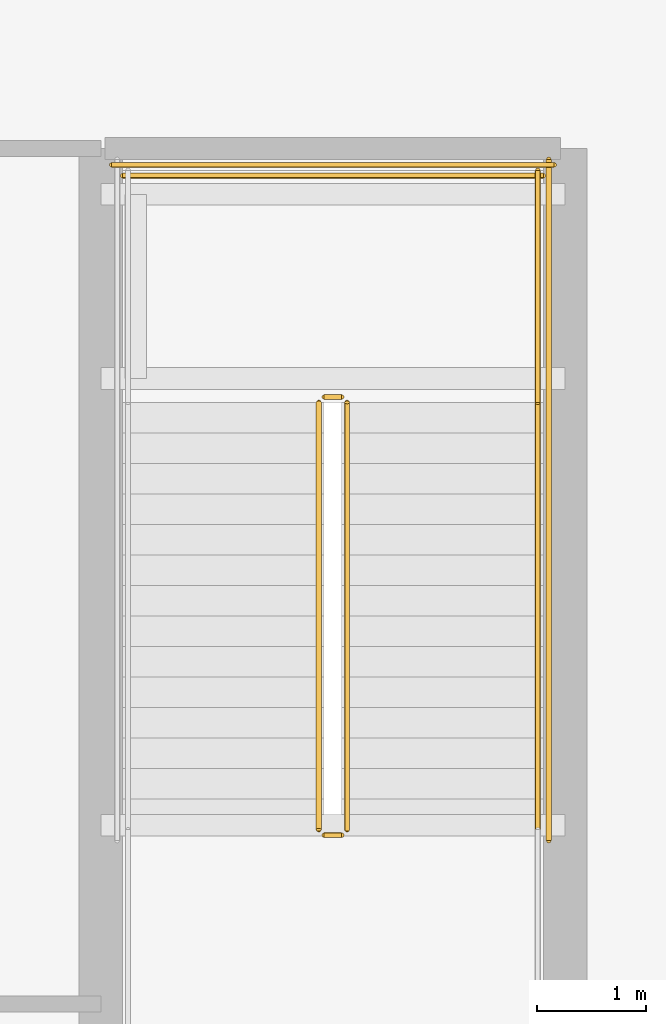
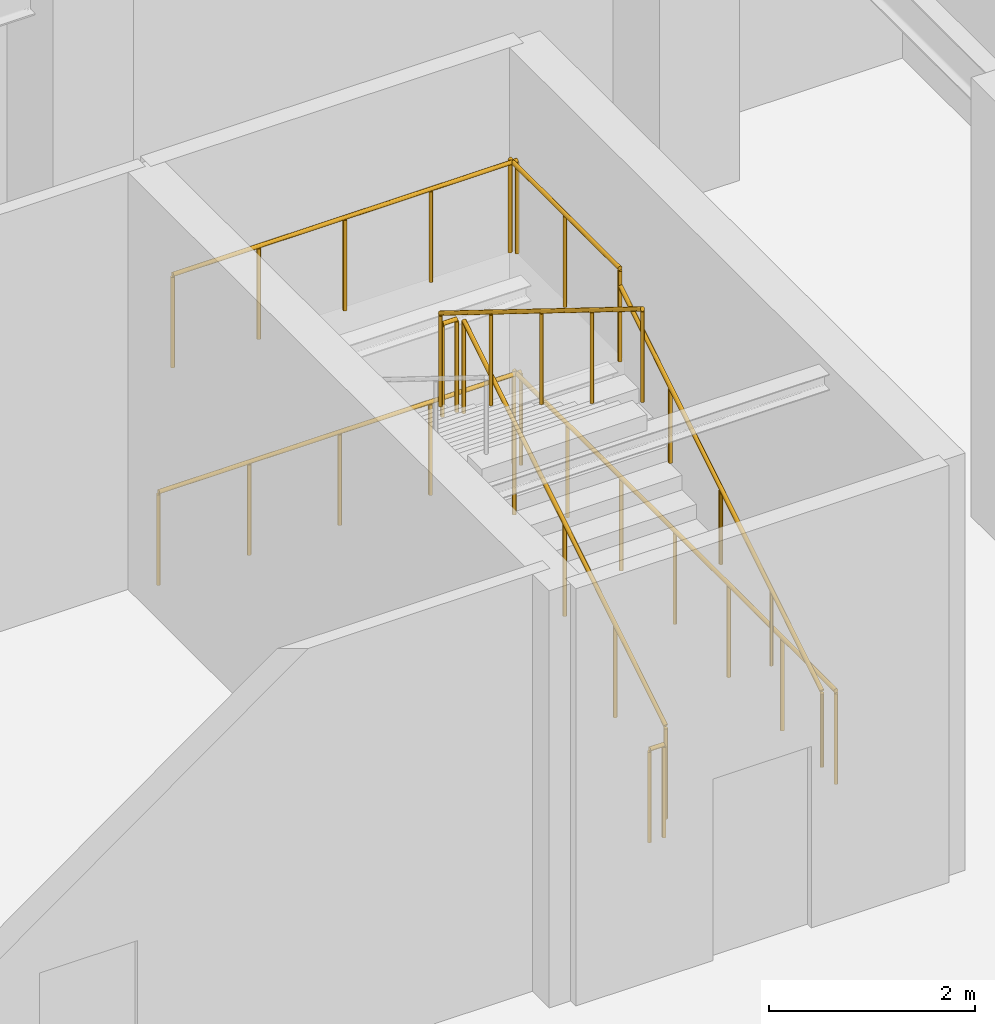
# One storey, part 15 of 15: 9 railings.
"""IFC4 building model written with IfcOpenShell, lengths in metres."""

from ifc_helpers import new_model, si_unit, direction, frame, origin, origin_2d, place, context, subcontext, project, spatial, circle, extrude, material, layer, layer_set, type_object, element, save


model = new_model("IFC4")

# Units and contexts
model_context = context("Model", 3, precision=1e-05, world=origin(), true_north=direction((0.0, 1.0)))
body_context = subcontext(model_context, "Body", "Model", "MODEL_VIEW")
ifc_project = project(units=[si_unit("LENGTHUNIT", "METRE"), si_unit("AREAUNIT", "SQUARE_METRE"), si_unit("VOLUMEUNIT", "CUBIC_METRE"), si_unit("PLANEANGLEUNIT", "RADIAN"), si_unit("MASSUNIT", "GRAM", prefix="KILO")], contexts=[model_context])

# Site, building, storey
site_placement = place(None, origin())
site = spatial("IfcSite", under=ifc_project, at=site_placement, CompositionType="ELEMENT")
building_placement = place(site_placement, origin())
building = spatial("IfcBuilding", under=site, at=building_placement, Name="Yelkora Congress Tower", CompositionType="ELEMENT")
storey_placement = place(building_placement, frame((0.0, 0.0, 10.39990234375)))
storey = spatial("IfcBuildingStorey", under=building, at=storey_placement, Name="L02", CompositionType="ELEMENT", Elevation=10.39990234375)

# Railings
ifc_material_1 = material(Name="Painted galvanised steel stair well guard with vertical infill", Category="steel")
ifc_layer_1 = layer(ifc_material_1, 0.06005859375)
ifc_layer_set_1 = layer_set([ifc_layer_1], Name="Painted galvanised steel stair well guard with vertical infill")
railing_type_1 = type_object("IfcRailingType", Name="RAIL-STAIR-GUARD-1120", PredefinedType="GUARDRAIL", material=ifc_layer_set_1)
railing_1_placement = place(storey_placement, frame((66.659912109375, 39.89990234375, 0.17333984375)))
element("IfcRailing", 1, at=railing_1_placement, inside=storey, type_object=railing_type_1, Name="ST-P2 L02 Stair Well Guardrail 1", PredefinedType="GUARDRAIL", context=body_context, shape_type="SweptSolid", body=[
    extrude(circle(Radius=0.02392578125, at=origin_2d()), frame((0.0, 0.0, 1.09619140625), z_axis=(0.0, 0.850266275192, 0.526352791643), x_axis=(-1.0, 0.0, 0.0)), (0.0, 0.0, 1.0), 4.610595703125),
    extrude(circle(Radius=0.02099609375, at=origin_2d()), origin(), (0.0, 0.0, 1.0), 1.072021484375),
    extrude(circle(Radius=0.02099609375, at=origin_2d()), frame((0.0, 0.97998046875, 0.606689453125)), (0.0, 0.0, 1.0), 1.072021484375),
    extrude(circle(Radius=0.02099609375, at=origin_2d()), frame((0.0, 1.9599609375, 1.21337890625)), (0.0, 0.0, 1.0), 1.072021484375),
    extrude(circle(Radius=0.02099609375, at=origin_2d()), frame((0.0, 2.940185546875, 1.820068359375)), (0.0, 0.0, 1.0), 1.072021484375),
    extrude(circle(Radius=0.02099609375, at=origin_2d()), frame((0.0, 3.920166015625, 2.4267578125)), (0.0, 0.0, 1.0), 1.072021484375),
])
railing_2_placement = place(storey_placement, frame((66.610107421875, 43.8701171875, 2.60009765625)))
element("IfcRailing", 2, at=railing_2_placement, inside=storey, type_object=railing_type_1, Name="ST-P2 L02 Stair Well Guardrail 2", PredefinedType="GUARDRAIL", context=body_context, shape_type="SweptSolid", body=[
    extrude(circle(Radius=0.02392578125, at=origin_2d()), frame((0.0, 0.0, 1.09619140625), z_axis=(-1.0, 0.0, 0.0), x_axis=(0.0, -1.0, 0.0)), (0.0, 0.0, 1.0), 0.16015625),
    extrude(circle(Radius=0.02099609375, at=origin_2d()), origin(), (0.0, 0.0, 1.0), 1.072021484375),
    extrude(circle(Radius=0.02099609375, at=origin_2d()), frame((-0.16015625, 0.0, 0.0)), (0.0, 0.0, 1.0), 1.072021484375),
])
railing_3_placement = place(storey_placement, frame((68.409912109375, 43.820068359375, 2.60009765625)))
element("IfcRailing", 3, at=railing_3_placement, inside=storey, type_object=railing_type_1, Name="ST-P2 L02 Stair Well Guardrail 3", PredefinedType="GUARDRAIL", context=body_context, shape_type="SweptSolid", body=[
    extrude(circle(Radius=0.02392578125, at=origin_2d()), frame((0.0, 0.0, 1.09619140625), z_axis=(0.0, 1.0, 0.0), x_axis=(-1.0, 0.0, 0.0)), (0.0, 0.0, 1.0), 2.1298828125),
    extrude(circle(Radius=0.02099609375, at=origin_2d()), origin(), (0.0, 0.0, 1.0), 1.072021484375),
    extrude(circle(Radius=0.02099609375, at=origin_2d()), frame((0.0, 1.06494140625, 0.0)), (0.0, 0.0, 1.0), 1.072021484375),
    extrude(circle(Radius=0.02099609375, at=origin_2d()), frame((0.0, 2.1298828125, 0.0)), (0.0, 0.0, 1.0), 1.072021484375),
])
railing_4_placement = place(storey_placement, frame((68.4599609375, 45.89990234375, 2.60009765625)))
element("IfcRailing", 4, at=railing_4_placement, inside=storey, type_object=railing_type_1, Name="ST-P2 L02 Stair Well Guardrail 5", PredefinedType="GUARDRAIL", context=body_context, shape_type="SweptSolid", body=[
    extrude(circle(Radius=0.02392578125, at=origin_2d()), frame((0.0, 0.0, 1.09619140625), z_axis=(-1.0, 0.0, 0.0), x_axis=(0.0, -1.0, 0.0)), (0.0, 0.0, 1.0), 3.85986328125),
    extrude(circle(Radius=0.02099609375, at=origin_2d()), origin(), (0.0, 0.0, 1.0), 1.072021484375),
    extrude(circle(Radius=0.02099609375, at=origin_2d()), frame((-0.96484375, 0.0, 0.0)), (0.0, 0.0, 1.0), 1.072021484375),
    extrude(circle(Radius=0.02099609375, at=origin_2d()), frame((-1.929931640625, 0.0, 0.0)), (0.0, 0.0, 1.0), 1.072021484375),
    extrude(circle(Radius=0.02099609375, at=origin_2d()), frame((-2.89501953125, 0.0, 0.0)), (0.0, 0.0, 1.0), 1.072021484375),
    extrude(circle(Radius=0.02099609375, at=origin_2d()), frame((-3.85986328125, 0.0, 0.0)), (0.0, 0.0, 1.0), 1.072021484375),
])
railing_5_placement = place(storey_placement, frame((66.39990234375, 43.820068359375, 2.7734375)))
element("IfcRailing", 5, at=railing_5_placement, inside=storey, type_object=railing_type_1, Name="ST-P2 L02 Stair Well Guardrail 6", PredefinedType="GUARDRAIL", context=body_context, shape_type="SweptSolid", body=[
    extrude(circle(Radius=0.02392578125, at=origin_2d()), frame((0.0, 0.0, 1.09619140625), z_axis=(0.0, -0.850266275192, 0.526352791643), x_axis=(1.0, 0.0, 0.0)), (0.0, 0.0, 1.0), 4.610595703125),
    extrude(circle(Radius=0.02099609375, at=origin_2d()), origin(), (0.0, 0.0, 1.0), 1.072021484375),
    extrude(circle(Radius=0.02099609375, at=origin_2d()), frame((0.0, -0.97998046875, 0.606689453125)), (0.0, 0.0, 1.0), 1.072021484375),
    extrude(circle(Radius=0.02099609375, at=origin_2d()), frame((0.0, -1.9599609375, 1.21337890625)), (0.0, 0.0, 1.0), 1.072021484375),
    extrude(circle(Radius=0.02099609375, at=origin_2d()), frame((0.0, -2.940185546875, 1.820068359375)), (0.0, 0.0, 1.0), 1.072021484375),
    extrude(circle(Radius=0.02099609375, at=origin_2d()), frame((0.0, -3.920166015625, 2.4267578125)), (0.0, 0.0, 1.0), 1.072021484375),
])
railing_6_placement = place(storey_placement, frame((66.610107421875, 39.85009765625, 0.0)))
element("IfcRailing", 6, at=railing_6_placement, inside=storey, type_object=railing_type_1, Name="ST-P2 L02 Stair Well Guardrail 7", PredefinedType="GUARDRAIL", context=body_context, shape_type="SweptSolid", body=[
    extrude(circle(Radius=0.02392578125, at=origin_2d()), frame((0.0, 0.0, 1.09619140625), z_axis=(-1.0, 0.0, 0.0), x_axis=(0.0, -1.0, 0.0)), (0.0, 0.0, 1.0), 0.16015625),
    extrude(circle(Radius=0.02099609375, at=origin_2d()), origin(), (0.0, 0.0, 1.0), 1.072021484375),
    extrude(circle(Radius=0.02099609375, at=origin_2d()), frame((-0.16015625, 0.0, 0.0)), (0.0, 0.0, 1.0), 1.072021484375),
])
railing_7_placement = place(storey_placement, frame((68.510009765625, 39.800048828125, 0.0)))
element("IfcRailing", 7, at=railing_7_placement, inside=storey, type_object=railing_type_1, Name="ST-P2 L02 Stair Well Guardrail 10", PredefinedType="GUARDRAIL", context=body_context, shape_type="SweptSolid", body=[
    extrude(circle(Radius=0.02392578125, at=origin_2d()), frame((0.0, 0.0, 1.09619140625), z_axis=(0.0, 1.0, 0.0), x_axis=(-1.0, 0.0, 0.0)), (0.0, 0.0, 1.0), 6.25),
    extrude(circle(Radius=0.02099609375, at=origin_2d()), origin(), (0.0, 0.0, 1.0), 1.072021484375),
    extrude(circle(Radius=0.02099609375, at=origin_2d()), frame((0.0, 1.041748046875, 0.0)), (0.0, 0.0, 1.0), 1.072021484375),
    extrude(circle(Radius=0.02099609375, at=origin_2d()), frame((0.0, 2.083251953125, 0.0)), (0.0, 0.0, 1.0), 1.072021484375),
    extrude(circle(Radius=0.02099609375, at=origin_2d()), frame((0.0, 3.125, 0.0)), (0.0, 0.0, 1.0), 1.072021484375),
    extrude(circle(Radius=0.02099609375, at=origin_2d()), frame((0.0, 4.166748046875, 0.0)), (0.0, 0.0, 1.0), 1.072021484375),
    extrude(circle(Radius=0.02099609375, at=origin_2d()), frame((0.0, 5.208251953125, 0.0)), (0.0, 0.0, 1.0), 1.072021484375),
    extrude(circle(Radius=0.02099609375, at=origin_2d()), frame((0.0, 6.25, 0.0)), (0.0, 0.0, 1.0), 1.072021484375),
])
railing_8_placement = place(storey_placement, frame((68.56005859375, 46.0, 0.0)))
element("IfcRailing", 8, at=railing_8_placement, inside=storey, type_object=railing_type_1, Name="ST-P2 L02 Stair Well Guardrail 12", PredefinedType="GUARDRAIL", context=body_context, shape_type="SweptSolid", body=[
    extrude(circle(Radius=0.02392578125, at=origin_2d()), frame((0.0, 0.0, 1.09619140625), z_axis=(-1.0, 0.0, 0.0), x_axis=(0.0, -1.0, 0.0)), (0.0, 0.0, 1.0), 4.06005859375),
    extrude(circle(Radius=0.02099609375, at=origin_2d()), origin(), (0.0, 0.0, 1.0), 1.072021484375),
    extrude(circle(Radius=0.02099609375, at=origin_2d()), frame((-1.01513671875, 0.0, 0.0)), (0.0, 0.0, 1.0), 1.072021484375),
    extrude(circle(Radius=0.02099609375, at=origin_2d()), frame((-2.030029296875, 0.0, 0.0)), (0.0, 0.0, 1.0), 1.072021484375),
    extrude(circle(Radius=0.02099609375, at=origin_2d()), frame((-3.044921875, 0.0, 0.0)), (0.0, 0.0, 1.0), 1.072021484375),
    extrude(circle(Radius=0.02099609375, at=origin_2d()), frame((-4.06005859375, 0.0, 0.0)), (0.0, 0.0, 1.0), 1.072021484375),
])
ifc_material_2 = material(Name="Brushed stainless steel tubular handrail", Category="steel")
ifc_layer_2 = layer(ifc_material_2, 0.050048828125)
ifc_layer_set_2 = layer_set([ifc_layer_2], Name="Brushed stainless steel tubular handrail")
railing_type_2 = type_object("IfcRailingType", Name="RAIL-STAIR-HAND-920", PredefinedType="HANDRAIL", material=ifc_layer_set_2)
railing_9_placement = place(storey_placement, frame((68.409912109375, 39.89990234375, 0.17333984375)))
element("IfcRailing", 9, at=railing_9_placement, inside=storey, type_object=railing_type_2, Name="ST-P2 L02 Pitch Handrail 1", PredefinedType="HANDRAIL", context=body_context, shape_type="SweptSolid", body=[
    extrude(circle(Radius=0.02392578125, at=origin_2d()), frame((0.0, 0.0, 0.89599609375), z_axis=(0.0, 0.850266275192, 0.526352791643), x_axis=(-1.0, 0.0, 0.0)), (0.0, 0.0, 1.0), 4.610595703125),
    extrude(circle(Radius=0.02099609375, at=origin_2d()), origin(), (0.0, 0.0, 1.0), 0.871826171875),
    extrude(circle(Radius=0.02099609375, at=origin_2d()), frame((0.0, 0.97998046875, 0.606689453125)), (0.0, 0.0, 1.0), 0.871826171875),
    extrude(circle(Radius=0.02099609375, at=origin_2d()), frame((0.0, 1.9599609375, 1.21337890625)), (0.0, 0.0, 1.0), 0.871826171875),
    extrude(circle(Radius=0.02099609375, at=origin_2d()), frame((0.0, 2.940185546875, 1.820068359375)), (0.0, 0.0, 1.0), 0.871826171875),
    extrude(circle(Radius=0.02099609375, at=origin_2d()), frame((0.0, 3.920166015625, 2.4267578125)), (0.0, 0.0, 1.0), 0.871826171875),
])

save(model, "model.ifc")
